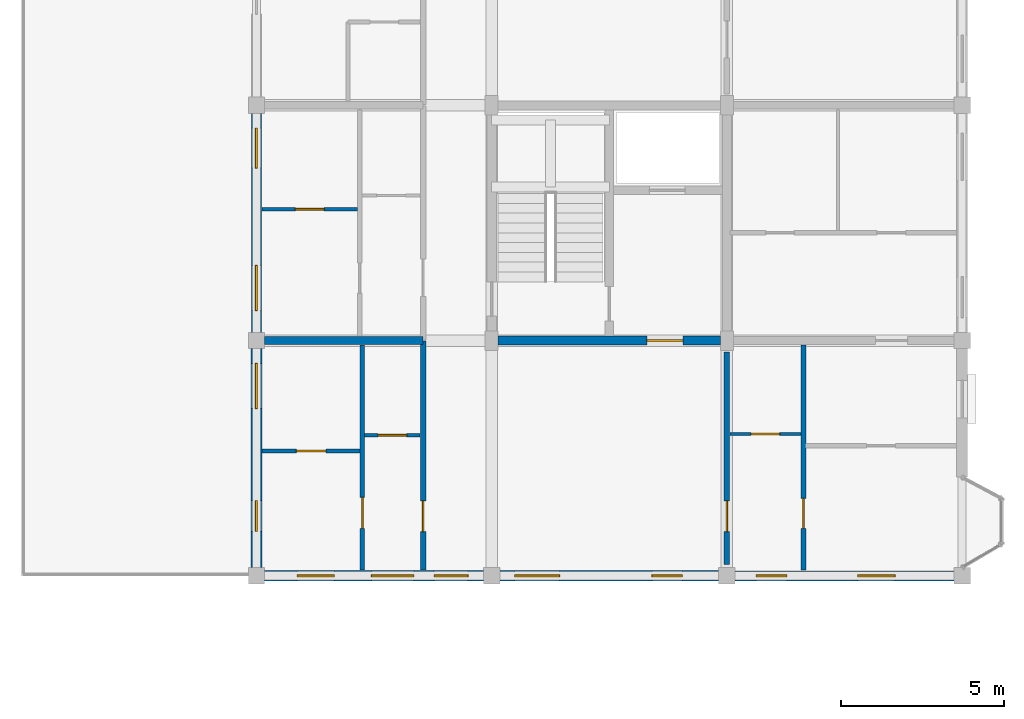
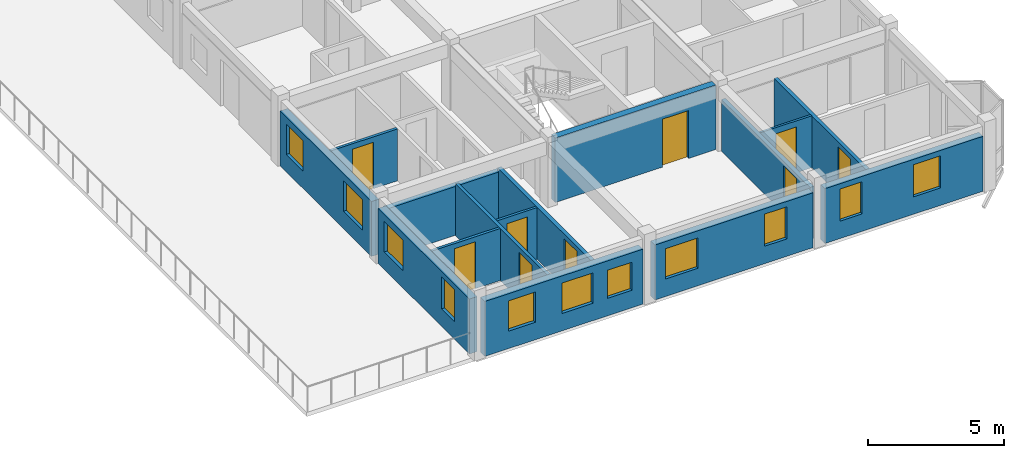
# One storey, part 54 of 70: 15 walls, 11 windows, 9 doors, 20 openings.
"""IFC4 building model written with IfcOpenShell, lengths in metres."""

from ifc_helpers import new_model, si_unit, direction, frame, frame_2d, origin, place, context, subcontext, project, spatial, rectangle, extrude, material, layer, layer_set, type_object, element, fill, save


model = new_model("IFC4")

# Units and contexts
model_context = context("Model", 3, precision=1e-05, world=origin(), true_north=direction((0.0, 1.0)))
body_context = subcontext(model_context, "Body", "Model", "MODEL_VIEW")
ifc_project = project(units=[si_unit("LENGTHUNIT", "METRE"), si_unit("AREAUNIT", "SQUARE_METRE"), si_unit("VOLUMEUNIT", "CUBIC_METRE"), si_unit("PLANEANGLEUNIT", "RADIAN"), si_unit("MASSUNIT", "GRAM", prefix="KILO"), si_unit("THERMODYNAMICTEMPERATUREUNIT", "KELVIN"), si_unit("POWERUNIT", "WATT")], contexts=[model_context])

# Site, building, storey
site_placement = place(None, origin())
site = spatial("IfcSite", under=ifc_project, at=site_placement, CompositionType="ELEMENT")
building_placement = place(site_placement, origin())
building = spatial("IfcBuilding", under=site, at=building_placement, Name="Tavuni Mirador Residences", CompositionType="ELEMENT")
storey_placement = place(building_placement, frame((0.0, 0.0, 23.39990234375)))
storey = spatial("IfcBuildingStorey", under=building, at=storey_placement, Name="L07", CompositionType="ELEMENT", Elevation=23.39990234375)

# Wall, opening, door
ifc_material_1 = material(Name="Precast concrete C40/50", Category="concrete")
ifc_layer_1 = layer(ifc_material_1, 0.280029296875, Name="Precast concrete C40/50", Category="concrete")
ifc_layer_set_1 = layer_set([ifc_layer_1], Name="Precast concrete C40/50")
wall_type_1 = type_object("IfcWallType", Name="WT-COR280", PredefinedType="SHEAR", material=ifc_layer_set_1)
wall_1_placement = place(storey_placement, frame((104.60009765625, 93.60009765625, 0.0), z_axis=(0.0, 0.0, 1.0), x_axis=(1.0, 0.0, 0.0)))
wall_1 = element("IfcWall", 1, at=wall_1_placement, inside=storey, type_object=wall_type_1, Name="CWALL-C7-L07-SS", PredefinedType="SHEAR", context=body_context, shape_type="SweptSolid", body=[
    extrude(rectangle(XDim=6.7998046875, YDim=0.280029296875, at=frame_2d((3.39990234375, 0.0))), origin(), (0.0, 0.0, 1.0), 2.89013671875),
])
opening_1_placement = place(wall_1_placement, frame((4.550048828125, 0.0, 0.0)))
opening_1 = element("IfcOpeningElement", 2, at=opening_1_placement, cuts=wall_1, Name="Opening D-02", PredefinedType="OPENING", context=body_context, shape_type="SweptSolid", body=[
    extrude(rectangle(XDim=1.10009765625, YDim=2.14990234375, at=frame_2d((0.550048828125, 1.074951171875))), frame((0.0, 0.14990234375, 0.0), z_axis=(0.0, -1.0, 0.0), x_axis=(1.0, 0.0, 0.0)), (0.0, 0.0, 1.0), 0.300048828125),
])
ifc_material_2 = material(Name="Solid core iroko timber", Category="wood")
door_type_1 = type_object("IfcDoorType", Name="DT-LOB1100", OperationType="NOTDEFINED", PredefinedType="DOOR", material=ifc_material_2)
door_1_placement = place(opening_1_placement, frame((1.10009765625, 0.0, 0.0), z_axis=(0.0, 0.0, 1.0), x_axis=(-1.0, 0.0, 0.0)))
door_1 = element("IfcDoor", 3, at=door_1_placement, inside=storey, type_object=door_type_1, Name="DR-2294", OperationType="SINGLE_SWING_RIGHT", OverallHeight=2.14990234375, OverallWidth=1.10009765625, PredefinedType="DOOR", context=body_context, shape_type="SweptSolid", body=[
    extrude(rectangle(XDim=1.10009765625, YDim=2.14990234375, at=frame_2d((0.550048828125, 1.074951171875))), frame((0.0, 0.02490234375, 0.0), z_axis=(0.0, -1.0, 0.0), x_axis=(1.0, 0.0, 0.0)), (0.0, 0.0, 1.0), 0.050048828125),
])
fill(opening_1, door_1)

ifc_layer_2 = layer(ifc_material_1, 0.1650390625, Name="Precast concrete C40/50", Category="concrete")
ifc_layer_set_2 = layer_set([ifc_layer_2], Name="Precast concrete C40/50")
wall_type_2 = type_object("IfcWallType", Name="WT-CORR165", PredefinedType="PARTITIONING", material=ifc_layer_set_2)
wall_2_placement = place(storey_placement, frame((102.300048828125, 86.574951171875, 0.0), z_axis=(0.0, 0.0, 1.0), x_axis=(0.0, 1.0, 0.0)))
wall_2 = element("IfcWall", 4, at=wall_2_placement, inside=storey, type_object=wall_type_2, Name="CORW-BLK-D-L07-0-00", PredefinedType="PARTITIONING", context=body_context, shape_type="SweptSolid", body=[
    extrude(rectangle(XDim=7.005126953125, YDim=0.1650390625, at=frame_2d((3.50244140625, 0.0))), origin(), (0.0, 0.0, 1.0), 2.3251953125),
])
opening_2_placement = place(wall_2_placement, frame((1.175048828125, 0.0, 0.0)))
opening_2 = element("IfcOpeningElement", 5, at=opening_2_placement, cuts=wall_2, Name="Opening D-19", PredefinedType="OPENING", context=body_context, shape_type="SweptSolid", body=[
    extrude(rectangle(XDim=0.93994140625, YDim=2.1201171875, at=frame_2d((0.469970703125, 1.06005859375))), frame((0.0, 0.092529296875, 0.0), z_axis=(0.0, -1.0, 0.0), x_axis=(1.0, 0.0, 0.0)), (0.0, 0.0, 1.0), 0.18505859375),
])
door_type_2 = type_object("IfcDoorType", Name="DT-FD60-940", OperationType="NOTDEFINED", PredefinedType="DOOR", material=ifc_material_2)
door_2_placement = place(opening_2_placement, origin())
door_2 = element("IfcDoor", 6, at=door_2_placement, inside=storey, type_object=door_type_2, Name="DR-2893", OperationType="SINGLE_SWING_RIGHT", OverallHeight=2.1201171875, OverallWidth=0.93994140625, PredefinedType="DOOR", context=body_context, shape_type="SweptSolid", body=[
    extrude(rectangle(XDim=0.93994140625, YDim=2.1201171875, at=frame_2d((0.469970703125, 1.06005859375))), frame((0.0, 0.02490234375, 0.0), z_axis=(0.0, -1.0, 0.0), x_axis=(1.0, 0.0, 0.0)), (0.0, 0.0, 1.0), 0.050048828125),
])
fill(opening_2, door_2)

wall_3_placement = place(storey_placement, frame((111.60009765625, 86.75, 0.0), z_axis=(0.0, 0.0, 1.0), x_axis=(0.0, 1.0, 0.0)))
wall_3 = element("IfcWall", 7, at=wall_3_placement, inside=storey, type_object=wall_type_2, Name="CORW-BLK-D-L07-1-00", PredefinedType="PARTITIONING", context=body_context, shape_type="SweptSolid", body=[
    extrude(rectangle(XDim=6.5, YDim=0.1650390625, at=frame_2d((3.25, 0.0))), origin(), (0.0, 0.0, 1.0), 2.3251953125),
])
opening_3_placement = place(wall_3_placement, frame((1.0, 0.0, 0.0)))
opening_3 = element("IfcOpeningElement", 8, at=opening_3_placement, cuts=wall_3, Name="Opening D-19", PredefinedType="OPENING", context=body_context, shape_type="SweptSolid", body=[
    extrude(rectangle(XDim=0.93994140625, YDim=2.1201171875, at=frame_2d((0.469970703125, 1.06005859375))), frame((0.0, 0.092529296875, 0.0), z_axis=(0.0, -1.0, 0.0), x_axis=(1.0, 0.0, 0.0)), (0.0, 0.0, 1.0), 0.18505859375),
])
door_3_placement = place(opening_3_placement, origin())
door_3 = element("IfcDoor", 9, at=door_3_placement, inside=storey, type_object=door_type_2, Name="DR-2899", OperationType="SINGLE_SWING_RIGHT", OverallHeight=2.1201171875, OverallWidth=0.93994140625, PredefinedType="DOOR", context=body_context, shape_type="SweptSolid", body=[
    extrude(rectangle(XDim=0.93994140625, YDim=2.1201171875, at=frame_2d((0.469970703125, 1.06005859375))), frame((0.0, 0.02490234375, 0.0), z_axis=(0.0, -1.0, 0.0), x_axis=(1.0, 0.0, 0.0)), (0.0, 0.0, 1.0), 0.050048828125),
])
fill(opening_3, door_3)

# Wall, openings, windows
ifc_layer_3 = layer(ifc_material_1, 0.330078125, Name="Precast concrete C40/50", Category="concrete")
ifc_layer_set_3 = layer_set([ifc_layer_3], Name="Precast concrete C40/50")
wall_type_3 = type_object("IfcWallType", Name="WT-EXT-COR330", PredefinedType="SOLIDWALL", material=ifc_layer_set_3)
wall_4_placement = place(storey_placement, frame((97.449951171875, 86.39990234375, 0.0), z_axis=(0.0, 0.0, 1.0), x_axis=(1.0, 0.0, 0.0)))
wall_4 = element("IfcWall", 10, at=wall_4_placement, inside=storey, type_object=wall_type_3, Name="EW-BLK-D-L07-S00", PredefinedType="SOLIDWALL", context=body_context, shape_type="SweptSolid", body=[
    extrude(rectangle(XDim=6.699951171875, YDim=0.330078125, at=frame_2d((3.35009765625, 0.0))), origin(), (0.0, 0.0, 1.0), 2.460205078125),
])
opening_4_placement = place(wall_4_placement, frame((0.9951171875, 0.0, 0.780029296875)))
opening_4 = element("IfcOpeningElement", 11, at=opening_4_placement, cuts=wall_4, Name="Opening WN-20", PredefinedType="OPENING", context=body_context, shape_type="SweptSolid", body=[
    extrude(rectangle(XDim=1.139892578125, YDim=1.360107421875, at=frame_2d((0.56982421875, 0.68017578125))), frame((0.0, 0.175048828125, 0.0), z_axis=(0.0, -1.0, 0.0), x_axis=(1.0, 0.0, 0.0)), (0.0, 0.0, 1.0), 0.35009765625),
])
opening_5_placement = place(wall_4_placement, frame((3.27001953125, 0.0, 0.780029296875)))
opening_5 = element("IfcOpeningElement", 12, at=opening_5_placement, cuts=wall_4, Name="Opening WN-22", PredefinedType="OPENING", context=body_context, shape_type="SweptSolid", body=[
    extrude(rectangle(XDim=1.300048828125, YDim=1.360107421875, at=frame_2d((0.64990234375, 0.68017578125))), frame((0.0, 0.175048828125, 0.0), z_axis=(0.0, -1.0, 0.0), x_axis=(1.0, 0.0, 0.0)), (0.0, 0.0, 1.0), 0.35009765625),
])
opening_6_placement = place(wall_4_placement, frame((5.18505859375, 0.0, 0.780029296875)))
opening_6 = element("IfcOpeningElement", 13, at=opening_6_placement, cuts=wall_4, Name="Opening WN-11", PredefinedType="OPENING", context=body_context, shape_type="SweptSolid", body=[
    extrude(rectangle(XDim=1.0400390625, YDim=1.260009765625, at=frame_2d((0.52001953125, 0.6298828125))), frame((0.0, 0.175048828125, 0.0), z_axis=(0.0, -1.0, 0.0), x_axis=(1.0, 0.0, 0.0)), (0.0, 0.0, 1.0), 0.35009765625),
])
ifc_material_3 = material(Name="Laminated solar-control glass", Category="glass")
window_type_1 = type_object("IfcWindowType", Name="WNT-11", PartitioningType="SINGLE_PANEL", PredefinedType="WINDOW", material=ifc_material_3)
window_1_placement = place(opening_6_placement, origin())
window_1 = element("IfcWindow", 14, at=window_1_placement, inside=storey, type_object=window_type_1, Name="WIN-1694", OverallHeight=1.260009765625, OverallWidth=1.0400390625, PartitioningType="SINGLE_PANEL", PredefinedType="WINDOW", context=body_context, shape_type="SweptSolid", body=[
    extrude(rectangle(XDim=1.0400390625, YDim=1.260009765625, at=frame_2d((0.52001953125, 0.6298828125))), frame((0.0, 0.030029296875, 0.0), z_axis=(0.0, -1.0, 0.0), x_axis=(1.0, 0.0, 0.0)), (0.0, 0.0, 1.0), 0.06005859375),
])
fill(opening_6, window_1)
window_type_2 = type_object("IfcWindowType", Name="WNT-20", PartitioningType="SINGLE_PANEL", PredefinedType="WINDOW", material=ifc_material_3)
window_2_placement = place(opening_4_placement, origin())
window_2 = element("IfcWindow", 15, at=window_2_placement, inside=storey, type_object=window_type_2, Name="WIN-1692", OverallHeight=1.360107421875, OverallWidth=1.139892578125, PartitioningType="SINGLE_PANEL", PredefinedType="WINDOW", context=body_context, shape_type="SweptSolid", body=[
    extrude(rectangle(XDim=1.139892578125, YDim=1.360107421875, at=frame_2d((0.56982421875, 0.68017578125))), frame((0.0, 0.030029296875, 0.0), z_axis=(0.0, -1.0, 0.0), x_axis=(1.0, 0.0, 0.0)), (0.0, 0.0, 1.0), 0.06005859375),
])
fill(opening_4, window_2)
window_type_3 = type_object("IfcWindowType", Name="WNT-22", PartitioningType="SINGLE_PANEL", PredefinedType="WINDOW", material=ifc_material_3)
window_3_placement = place(opening_5_placement, origin())
window_3 = element("IfcWindow", 16, at=window_3_placement, inside=storey, type_object=window_type_3, Name="WIN-1693", OverallHeight=1.360107421875, OverallWidth=1.300048828125, PartitioningType="SINGLE_PANEL", PredefinedType="WINDOW", context=body_context, shape_type="SweptSolid", body=[
    extrude(rectangle(XDim=1.300048828125, YDim=1.360107421875, at=frame_2d((0.64990234375, 0.68017578125))), frame((0.0, 0.030029296875, 0.0), z_axis=(0.0, -1.0, 0.0), x_axis=(1.0, 0.0, 0.0)), (0.0, 0.0, 1.0), 0.06005859375),
])
fill(opening_5, window_3)

wall_5_placement = place(storey_placement, frame((97.199951171875, 93.35009765625, 0.0), z_axis=(0.0, 0.0, 1.0), x_axis=(0.0, -1.0, 0.0)))
wall_5 = element("IfcWall", 17, at=wall_5_placement, inside=storey, type_object=wall_type_3, Name="EW-BLK-D-L07-W00", PredefinedType="SOLIDWALL", context=body_context, shape_type="SweptSolid", body=[
    extrude(rectangle(XDim=6.7001953125, YDim=0.330078125, at=frame_2d((3.35009765625, 0.0))), origin(), (0.0, 0.0, 1.0), 2.460205078125),
])
opening_7_placement = place(wall_5_placement, frame((0.449951171875, 0.0, 0.780029296875)))
opening_7 = element("IfcOpeningElement", 18, at=opening_7_placement, cuts=wall_5, Name="Opening WN-23", PredefinedType="OPENING", context=body_context, shape_type="SweptSolid", body=[
    extrude(rectangle(XDim=1.3798828125, YDim=1.360107421875, at=frame_2d((0.68994140625, 0.68017578125))), frame((0.0, 0.175048828125, 0.0), z_axis=(0.0, -1.0, 0.0), x_axis=(1.0, 0.0, 0.0)), (0.0, 0.0, 1.0), 0.35009765625),
])
opening_8_placement = place(wall_5_placement, frame((4.64990234375, 0.0, 0.780029296875)))
opening_8 = element("IfcOpeningElement", 19, at=opening_8_placement, cuts=wall_5, Name="Opening WN-25", PredefinedType="OPENING", context=body_context, shape_type="SweptSolid", body=[
    extrude(rectangle(XDim=0.93994140625, YDim=1.43994140625, at=frame_2d((0.469970703125, 0.719970703125))), frame((0.0, 0.175048828125, 0.0), z_axis=(0.0, -1.0, 0.0), x_axis=(1.0, 0.0, 0.0)), (0.0, 0.0, 1.0), 0.35009765625),
])
window_type_4 = type_object("IfcWindowType", Name="WNT-23", PartitioningType="SINGLE_PANEL", PredefinedType="WINDOW", material=ifc_material_3)
window_4_placement = place(opening_7_placement, origin())
window_4 = element("IfcWindow", 20, at=window_4_placement, inside=storey, type_object=window_type_4, Name="WIN-1725", OverallHeight=1.360107421875, OverallWidth=1.3798828125, PartitioningType="SINGLE_PANEL", PredefinedType="WINDOW", context=body_context, shape_type="SweptSolid", body=[
    extrude(rectangle(XDim=1.3798828125, YDim=1.360107421875, at=frame_2d((0.68994140625, 0.68017578125))), frame((0.0, 0.030029296875, 0.0), z_axis=(0.0, -1.0, 0.0), x_axis=(1.0, 0.0, 0.0)), (0.0, 0.0, 1.0), 0.06005859375),
])
fill(opening_7, window_4)
window_type_5 = type_object("IfcWindowType", Name="WNT-25", PartitioningType="SINGLE_PANEL", PredefinedType="WINDOW", material=ifc_material_3)
window_5_placement = place(opening_8_placement, origin())
window_5 = element("IfcWindow", 21, at=window_5_placement, inside=storey, type_object=window_type_5, Name="WIN-1726", OverallHeight=1.43994140625, OverallWidth=0.93994140625, PartitioningType="SINGLE_PANEL", PredefinedType="WINDOW", context=body_context, shape_type="SweptSolid", body=[
    extrude(rectangle(XDim=0.93994140625, YDim=1.43994140625, at=frame_2d((0.469970703125, 0.719970703125))), frame((0.0, 0.030029296875, 0.0), z_axis=(0.0, -1.0, 0.0), x_axis=(1.0, 0.0, 0.0)), (0.0, 0.0, 1.0), 0.06005859375),
])
fill(opening_8, window_5)

ifc_material_4 = material(Name="Sgraffito lime-rendered precast concrete C40/50", Category="concrete")
ifc_layer_4 = layer(ifc_material_4, 0.304931640625, Name="Sgraffito lime-rendered precast concrete C40/50", Category="concrete")
ifc_layer_set_4 = layer_set([ifc_layer_4], Name="Sgraffito lime-rendered precast concrete C40/50")
wall_type_4 = type_object("IfcWallType", Name="WT-EXT-PC305", PredefinedType="SOLIDWALL", material=ifc_layer_set_4)
wall_6_placement = place(storey_placement, frame((111.85009765625, 86.39990234375, 0.0), z_axis=(0.0, 0.0, 1.0), x_axis=(1.0, 0.0, 0.0)))
wall_6 = element("IfcWall", 22, at=wall_6_placement, inside=storey, type_object=wall_type_4, Name="EW-BLK-D-L07-S02", PredefinedType="SOLIDWALL", context=body_context, shape_type="SweptSolid", body=[
    extrude(rectangle(XDim=6.699951171875, YDim=0.304931640625, at=frame_2d((3.35009765625, 0.0))), origin(), (0.0, 0.0, 1.0), 2.460205078125),
])
opening_9_placement = place(wall_6_placement, frame((0.64501953125, 0.0, 0.780029296875)))
opening_9 = element("IfcOpeningElement", 23, at=opening_9_placement, cuts=wall_6, Name="Opening WN-25", PredefinedType="OPENING", context=body_context, shape_type="SweptSolid", body=[
    extrude(rectangle(XDim=0.93994140625, YDim=1.43994140625, at=frame_2d((0.469970703125, 0.719970703125))), frame((0.0, 0.16259765625, 0.0), z_axis=(0.0, -1.0, 0.0), x_axis=(1.0, 0.0, 0.0)), (0.0, 0.0, 1.0), 0.324951171875),
])
opening_10_placement = place(wall_6_placement, frame((3.75, 0.0, 0.780029296875)))
opening_10 = element("IfcOpeningElement", 24, at=opening_10_placement, cuts=wall_6, Name="Opening WN-27", PredefinedType="OPENING", context=body_context, shape_type="SweptSolid", body=[
    extrude(rectangle(XDim=1.14990234375, YDim=1.43994140625, at=frame_2d((0.574951171875, 0.719970703125))), frame((0.0, 0.16259765625, 0.0), z_axis=(0.0, -1.0, 0.0), x_axis=(1.0, 0.0, 0.0)), (0.0, 0.0, 1.0), 0.324951171875),
])
window_6_placement = place(opening_9_placement, origin())
window_6 = element("IfcWindow", 25, at=window_6_placement, inside=storey, type_object=window_type_5, Name="WIN-1697", OverallHeight=1.43994140625, OverallWidth=0.93994140625, PartitioningType="SINGLE_PANEL", PredefinedType="WINDOW", context=body_context, shape_type="SweptSolid", body=[
    extrude(rectangle(XDim=0.93994140625, YDim=1.43994140625, at=frame_2d((0.469970703125, 0.719970703125))), frame((0.0, 0.030029296875, 0.0), z_axis=(0.0, -1.0, 0.0), x_axis=(1.0, 0.0, 0.0)), (0.0, 0.0, 1.0), 0.06005859375),
])
fill(opening_9, window_6)
window_type_6 = type_object("IfcWindowType", Name="WNT-27", PartitioningType="SINGLE_PANEL", PredefinedType="WINDOW", material=ifc_material_3)
window_7_placement = place(opening_10_placement, origin())
window_7 = element("IfcWindow", 26, at=window_7_placement, inside=storey, type_object=window_type_6, Name="WIN-1698", OverallHeight=1.43994140625, OverallWidth=1.14990234375, PartitioningType="SINGLE_PANEL", PredefinedType="WINDOW", context=body_context, shape_type="SweptSolid", body=[
    extrude(rectangle(XDim=1.14990234375, YDim=1.43994140625, at=frame_2d((0.574951171875, 0.719970703125))), frame((0.0, 0.030029296875, 0.0), z_axis=(0.0, -1.0, 0.0), x_axis=(1.0, 0.0, 0.0)), (0.0, 0.0, 1.0), 0.06005859375),
])
fill(opening_10, window_7)

ifc_layer_5 = layer(ifc_material_4, 0.31494140625, Name="Sgraffito lime-rendered precast concrete C40/50", Category="concrete")
ifc_layer_set_5 = layer_set([ifc_layer_5], Name="Sgraffito lime-rendered precast concrete C40/50")
wall_type_5 = type_object("IfcWallType", Name="WT-EXT-PC315", PredefinedType="SOLIDWALL", material=ifc_layer_set_5)
wall_7_placement = place(storey_placement, frame((104.64990234375, 86.39990234375, 0.0), z_axis=(0.0, 0.0, 1.0), x_axis=(1.0, 0.0, 0.0)))
wall_7 = element("IfcWall", 27, at=wall_7_placement, inside=storey, type_object=wall_type_5, Name="EW-BLK-D-L07-S01", PredefinedType="SOLIDWALL", context=body_context, shape_type="SweptSolid", body=[
    extrude(rectangle(XDim=6.7001953125, YDim=0.31494140625, at=frame_2d((3.35009765625, 0.0))), origin(), (0.0, 0.0, 1.0), 2.460205078125),
])
opening_11_placement = place(wall_7_placement, frame((0.449951171875, 0.0, 0.780029296875)))
opening_11 = element("IfcOpeningElement", 28, at=opening_11_placement, cuts=wall_7, Name="Opening WN-23", PredefinedType="OPENING", context=body_context, shape_type="SweptSolid", body=[
    extrude(rectangle(XDim=1.3798828125, YDim=1.360107421875, at=frame_2d((0.68994140625, 0.68017578125))), frame((0.0, 0.16748046875, 0.0), z_axis=(0.0, -1.0, 0.0), x_axis=(1.0, 0.0, 0.0)), (0.0, 0.0, 1.0), 0.3349609375),
])
opening_12_placement = place(wall_7_placement, frame((4.64990234375, 0.0, 0.780029296875)))
opening_12 = element("IfcOpeningElement", 29, at=opening_12_placement, cuts=wall_7, Name="Opening WN-25", PredefinedType="OPENING", context=body_context, shape_type="SweptSolid", body=[
    extrude(rectangle(XDim=0.93994140625, YDim=1.43994140625, at=frame_2d((0.469970703125, 0.719970703125))), frame((0.0, 0.16748046875, 0.0), z_axis=(0.0, -1.0, 0.0), x_axis=(1.0, 0.0, 0.0)), (0.0, 0.0, 1.0), 0.3349609375),
])
window_8_placement = place(opening_11_placement, origin())
window_8 = element("IfcWindow", 30, at=window_8_placement, inside=storey, type_object=window_type_4, Name="WIN-1695", OverallHeight=1.360107421875, OverallWidth=1.3798828125, PartitioningType="SINGLE_PANEL", PredefinedType="WINDOW", context=body_context, shape_type="SweptSolid", body=[
    extrude(rectangle(XDim=1.3798828125, YDim=1.360107421875, at=frame_2d((0.68994140625, 0.68017578125))), frame((0.0, 0.030029296875, 0.0), z_axis=(0.0, -1.0, 0.0), x_axis=(1.0, 0.0, 0.0)), (0.0, 0.0, 1.0), 0.06005859375),
])
fill(opening_11, window_8)
window_9_placement = place(opening_12_placement, origin())
window_9 = element("IfcWindow", 31, at=window_9_placement, inside=storey, type_object=window_type_5, Name="WIN-1696", OverallHeight=1.43994140625, OverallWidth=0.93994140625, PartitioningType="SINGLE_PANEL", PredefinedType="WINDOW", context=body_context, shape_type="SweptSolid", body=[
    extrude(rectangle(XDim=0.93994140625, YDim=1.43994140625, at=frame_2d((0.469970703125, 0.719970703125))), frame((0.0, 0.030029296875, 0.0), z_axis=(0.0, -1.0, 0.0), x_axis=(1.0, 0.0, 0.0)), (0.0, 0.0, 1.0), 0.06005859375),
])
fill(opening_12, window_9)

wall_8_placement = place(storey_placement, frame((97.199951171875, 100.550048828125, 0.0), z_axis=(0.0, 0.0, 1.0), x_axis=(0.0, -1.0, 0.0)))
wall_8 = element("IfcWall", 32, at=wall_8_placement, inside=storey, type_object=wall_type_5, Name="EW-BLK-D-L07-W01", PredefinedType="SOLIDWALL", context=body_context, shape_type="SweptSolid", body=[
    extrude(rectangle(XDim=6.699951171875, YDim=0.31494140625, at=frame_2d((3.35009765625, 0.0))), origin(), (0.0, 0.0, 1.0), 2.460205078125),
])
opening_13_placement = place(wall_8_placement, frame((0.449951171875, 0.0, 0.780029296875)))
opening_13 = element("IfcOpeningElement", 33, at=opening_13_placement, cuts=wall_8, Name="Opening WN-21", PredefinedType="OPENING", context=body_context, shape_type="SweptSolid", body=[
    extrude(rectangle(XDim=1.219970703125, YDim=1.360107421875, at=frame_2d((0.60986328125, 0.68017578125))), frame((0.0, 0.16748046875, 0.0), z_axis=(0.0, -1.0, 0.0), x_axis=(1.0, 0.0, 0.0)), (0.0, 0.0, 1.0), 0.3349609375),
])
opening_14_placement = place(wall_8_placement, frame((4.64990234375, 0.0, 0.780029296875)))
opening_14 = element("IfcOpeningElement", 34, at=opening_14_placement, cuts=wall_8, Name="Opening WN-23", PredefinedType="OPENING", context=body_context, shape_type="SweptSolid", body=[
    extrude(rectangle(XDim=1.3798828125, YDim=1.360107421875, at=frame_2d((0.68994140625, 0.68017578125))), frame((0.0, 0.16748046875, 0.0), z_axis=(0.0, -1.0, 0.0), x_axis=(1.0, 0.0, 0.0)), (0.0, 0.0, 1.0), 0.3349609375),
])
window_type_7 = type_object("IfcWindowType", Name="WNT-21", PartitioningType="SINGLE_PANEL", PredefinedType="WINDOW", material=ifc_material_3)
window_10_placement = place(opening_13_placement, origin())
window_10 = element("IfcWindow", 35, at=window_10_placement, inside=storey, type_object=window_type_7, Name="WIN-1723", OverallHeight=1.360107421875, OverallWidth=1.219970703125, PartitioningType="SINGLE_PANEL", PredefinedType="WINDOW", context=body_context, shape_type="SweptSolid", body=[
    extrude(rectangle(XDim=1.219970703125, YDim=1.360107421875, at=frame_2d((0.60986328125, 0.68017578125))), frame((0.0, 0.030029296875, 0.0), z_axis=(0.0, -1.0, 0.0), x_axis=(1.0, 0.0, 0.0)), (0.0, 0.0, 1.0), 0.06005859375),
])
fill(opening_13, window_10)
window_11_placement = place(opening_14_placement, origin())
window_11 = element("IfcWindow", 36, at=window_11_placement, inside=storey, type_object=window_type_4, Name="WIN-1724", OverallHeight=1.360107421875, OverallWidth=1.3798828125, PartitioningType="SINGLE_PANEL", PredefinedType="WINDOW", context=body_context, shape_type="SweptSolid", body=[
    extrude(rectangle(XDim=1.3798828125, YDim=1.360107421875, at=frame_2d((0.68994140625, 0.68017578125))), frame((0.0, 0.030029296875, 0.0), z_axis=(0.0, -1.0, 0.0), x_axis=(1.0, 0.0, 0.0)), (0.0, 0.0, 1.0), 0.06005859375),
])
fill(opening_14, window_11)

# Wall, opening, door
ifc_material_5 = material(Name="Acoustic gypsum and concrete block partition", Category="concrete")
ifc_layer_6 = layer(ifc_material_5, 0.094970703125, Name="Acoustic gypsum and concrete block partition", Category="concrete")
ifc_layer_set_6 = layer_set([ifc_layer_6], Name="Acoustic gypsum and concrete block partition")
wall_type_6 = type_object("IfcWallType", Name="WT-PART095", PredefinedType="PARTITIONING", material=ifc_layer_set_6)
wall_9_placement = place(storey_placement, frame((111.68994140625, 90.739990234375, 0.0), z_axis=(0.0, 0.0, 1.0), x_axis=(1.0, 0.0, 0.0)))
wall_9 = element("IfcWall", 37, at=wall_9_placement, inside=storey, type_object=wall_type_6, Name="PW-BLK-D-L07-E00-IN1", PredefinedType="PARTITIONING", context=body_context, shape_type="SweptSolid", body=[
    extrude(rectangle(XDim=2.18017578125, YDim=0.094970703125, at=frame_2d((1.090087890625, 0.0))), origin(), (0.0, 0.0, 1.0), 2.3251953125),
])
opening_15_placement = place(wall_9_placement, frame((0.655029296875, 0.0, 0.0)))
opening_15 = element("IfcOpeningElement", 38, at=opening_15_placement, cuts=wall_9, Name="Opening D-10", PredefinedType="OPENING", context=body_context, shape_type="SweptSolid", body=[
    extrude(rectangle(XDim=0.8701171875, YDim=2.050048828125, at=frame_2d((0.43505859375, 1.02490234375))), frame((0.0, 0.0576171875, 0.0), z_axis=(0.0, -1.0, 0.0), x_axis=(1.0, 0.0, 0.0)), (0.0, 0.0, 1.0), 0.114990234375),
])
door_type_3 = type_object("IfcDoorType", Name="DT-WC870", OperationType="NOTDEFINED", PredefinedType="DOOR", material=ifc_material_2)
door_4_placement = place(opening_15_placement, origin())
door_4 = element("IfcDoor", 39, at=door_4_placement, inside=storey, type_object=door_type_3, Name="DR-4554", OperationType="SINGLE_SWING_LEFT", OverallHeight=2.050048828125, OverallWidth=0.8701171875, PredefinedType="DOOR", context=body_context, shape_type="SweptSolid", body=[
    extrude(rectangle(XDim=0.8701171875, YDim=2.050048828125, at=frame_2d((0.43505859375, 1.02490234375))), frame((0.0, 0.02490234375, 0.0), z_axis=(0.0, -1.0, 0.0), x_axis=(1.0, 0.0, 0.0)), (0.0, 0.0, 1.0), 0.050048828125),
])
fill(opening_15, door_4)

ifc_layer_7 = layer(ifc_material_5, 0.10498046875, Name="Acoustic gypsum and concrete block partition", Category="concrete")
ifc_layer_set_7 = layer_set([ifc_layer_7], Name="Acoustic gypsum and concrete block partition")
wall_type_7 = type_object("IfcWallType", Name="WT-PART105", PredefinedType="PARTITIONING", material=ifc_layer_set_7)
wall_10_placement = place(storey_placement, frame((100.510009765625, 90.699951171875, 0.0), z_axis=(0.0, 0.0, 1.0), x_axis=(1.0, 0.0, 0.0)))
wall_10 = element("IfcWall", 40, at=wall_10_placement, inside=storey, type_object=wall_type_7, Name="PW-BLK-D-L07-W00-IN1", PredefinedType="PARTITIONING", context=body_context, shape_type="SweptSolid", body=[
    extrude(rectangle(XDim=1.699951171875, YDim=0.10498046875, at=frame_2d((0.85009765625, 0.0))), origin(), (0.0, 0.0, 1.0), 2.3251953125),
])
opening_16_placement = place(wall_10_placement, frame((0.4150390625, 0.0, 0.0)))
opening_16 = element("IfcOpeningElement", 41, at=opening_16_placement, cuts=wall_10, Name="Opening D-10", PredefinedType="OPENING", context=body_context, shape_type="SweptSolid", body=[
    extrude(rectangle(XDim=0.8701171875, YDim=2.050048828125, at=frame_2d((0.43505859375, 1.02490234375))), frame((0.0, 0.0625, 0.0), z_axis=(0.0, -1.0, 0.0), x_axis=(1.0, 0.0, 0.0)), (0.0, 0.0, 1.0), 0.125),
])
door_5_placement = place(opening_16_placement, origin())
door_5 = element("IfcDoor", 42, at=door_5_placement, inside=storey, type_object=door_type_3, Name="DR-4551", OperationType="SINGLE_SWING_RIGHT", OverallHeight=2.050048828125, OverallWidth=0.8701171875, PredefinedType="DOOR", context=body_context, shape_type="SweptSolid", body=[
    extrude(rectangle(XDim=0.8701171875, YDim=2.050048828125, at=frame_2d((0.43505859375, 1.02490234375))), frame((0.0, 0.02490234375, 0.0), z_axis=(0.0, -1.0, 0.0), x_axis=(1.0, 0.0, 0.0)), (0.0, 0.0, 1.0), 0.050048828125),
])
fill(opening_16, door_5)

ifc_layer_8 = layer(ifc_material_5, 0.114990234375, Name="Acoustic gypsum and concrete block partition", Category="concrete")
ifc_layer_set_8 = layer_set([ifc_layer_8], Name="Acoustic gypsum and concrete block partition")
wall_type_8 = type_object("IfcWallType", Name="WT-PART115", PredefinedType="PARTITIONING", material=ifc_layer_set_8)
wall_11_placement = place(storey_placement, frame((97.375, 90.219970703125, 0.0), z_axis=(0.0, 0.0, 1.0), x_axis=(1.0, 0.0, 0.0)))
wall_11 = element("IfcWall", 43, at=wall_11_placement, inside=storey, type_object=wall_type_8, Name="PW-BLK-D-L07-W00-OUT", PredefinedType="PARTITIONING", context=body_context, shape_type="SweptSolid", body=[
    extrude(rectangle(XDim=2.9951171875, YDim=0.114990234375, at=frame_2d((1.49755859375, 0.0))), origin(), (0.0, 0.0, 1.0), 2.3251953125),
])
opening_17_placement = place(wall_11_placement, frame((1.047607421875, 0.0, 0.0)))
opening_17 = element("IfcOpeningElement", 44, at=opening_17_placement, cuts=wall_11, Name="Opening D-07", PredefinedType="OPENING", context=body_context, shape_type="SweptSolid", body=[
    extrude(rectangle(XDim=0.89990234375, YDim=2.10009765625, at=frame_2d((0.449951171875, 1.050048828125))), frame((0.0, 0.0673828125, 0.0), z_axis=(0.0, -1.0, 0.0), x_axis=(1.0, 0.0, 0.0)), (0.0, 0.0, 1.0), 0.135009765625),
])
door_type_4 = type_object("IfcDoorType", Name="DT-BED900", OperationType="NOTDEFINED", PredefinedType="DOOR", material=ifc_material_2)
door_6_placement = place(opening_17_placement, origin())
door_6 = element("IfcDoor", 45, at=door_6_placement, inside=storey, type_object=door_type_4, Name="DR-4550", OperationType="SINGLE_SWING_LEFT", OverallHeight=2.10009765625, OverallWidth=0.89990234375, PredefinedType="DOOR", context=body_context, shape_type="SweptSolid", body=[
    extrude(rectangle(XDim=0.89990234375, YDim=2.10009765625, at=frame_2d((0.449951171875, 1.050048828125))), frame((0.0, 0.02490234375, 0.0), z_axis=(0.0, -1.0, 0.0), x_axis=(1.0, 0.0, 0.0)), (0.0, 0.0, 1.0), 0.050048828125),
])
fill(opening_17, door_6)

wall_12_placement = place(storey_placement, frame((97.375, 97.6201171875, 0.0), z_axis=(0.0, 0.0, 1.0), x_axis=(1.0, 0.0, 0.0)))
wall_12 = element("IfcWall", 46, at=wall_12_placement, inside=storey, type_object=wall_type_8, Name="PW-BLK-D-L07-W01-OUT", PredefinedType="PARTITIONING", context=body_context, shape_type="SweptSolid", body=[
    extrude(rectangle(XDim=2.9150390625, YDim=0.114990234375, at=frame_2d((1.45751953125, 0.0))), origin(), (0.0, 0.0, 1.0), 2.3251953125),
])
opening_18_placement = place(wall_12_placement, frame((1.017578125, 0.0, 0.0)))
opening_18 = element("IfcOpeningElement", 47, at=opening_18_placement, cuts=wall_12, Name="Opening D-08", PredefinedType="OPENING", context=body_context, shape_type="SweptSolid", body=[
    extrude(rectangle(XDim=0.8798828125, YDim=2.080078125, at=frame_2d((0.43994140625, 1.0400390625))), frame((0.0, 0.0673828125, 0.0), z_axis=(0.0, -1.0, 0.0), x_axis=(1.0, 0.0, 0.0)), (0.0, 0.0, 1.0), 0.135009765625),
])
door_type_5 = type_object("IfcDoorType", Name="DT-BED880", OperationType="NOTDEFINED", PredefinedType="DOOR", material=ifc_material_2)
door_7_placement = place(opening_18_placement, origin())
door_7 = element("IfcDoor", 48, at=door_7_placement, inside=storey, type_object=door_type_5, Name="DR-4556", OperationType="SINGLE_SWING_RIGHT", OverallHeight=2.080078125, OverallWidth=0.8798828125, PredefinedType="DOOR", context=body_context, shape_type="SweptSolid", body=[
    extrude(rectangle(XDim=0.8798828125, YDim=2.080078125, at=frame_2d((0.43994140625, 1.0400390625))), frame((0.0, 0.02490234375, 0.0), z_axis=(0.0, -1.0, 0.0), x_axis=(1.0, 0.0, 0.0)), (0.0, 0.0, 1.0), 0.050048828125),
])
fill(opening_18, door_7)

ifc_layer_9 = layer(ifc_material_5, 0.139892578125, Name="Acoustic gypsum and concrete block partition", Category="concrete")
ifc_layer_set_9 = layer_set([ifc_layer_9], Name="Acoustic gypsum and concrete block partition")
wall_type_9 = type_object("IfcWallType", Name="WT-PART140", PredefinedType="PARTITIONING", material=ifc_layer_set_9)
wall_13_placement = place(storey_placement, frame((100.43994140625, 86.574951171875, 0.0), z_axis=(0.0, 0.0, 1.0), x_axis=(0.0, 1.0, 0.0)))
wall_13 = element("IfcWall", 49, at=wall_13_placement, inside=storey, type_object=wall_type_9, Name="PW-BLK-D-L07-W00-MID", PredefinedType="PARTITIONING", context=body_context, shape_type="SweptSolid", body=[
    extrude(rectangle(XDim=6.885009765625, YDim=0.139892578125, at=frame_2d((3.4423828125, 0.0))), origin(), (0.0, 0.0, 1.0), 2.3251953125),
])
opening_19_placement = place(wall_13_placement, frame((1.27490234375, 0.0, 0.0)))
opening_19 = element("IfcOpeningElement", 50, at=opening_19_placement, cuts=wall_13, Name="Opening D-05", PredefinedType="OPENING", context=body_context, shape_type="SweptSolid", body=[
    extrude(rectangle(XDim=0.949951171875, YDim=2.10009765625, at=frame_2d((0.47509765625, 1.050048828125))), frame((0.0, 0.080078125, 0.0), z_axis=(0.0, -1.0, 0.0), x_axis=(1.0, 0.0, 0.0)), (0.0, 0.0, 1.0), 0.159912109375),
])
door_type_6 = type_object("IfcDoorType", Name="DT-INT950", OperationType="NOTDEFINED", PredefinedType="DOOR", material=ifc_material_2)
door_8_placement = place(opening_19_placement, origin())
door_8 = element("IfcDoor", 51, at=door_8_placement, inside=storey, type_object=door_type_6, Name="DR-4552", OperationType="SINGLE_SWING_LEFT", OverallHeight=2.10009765625, OverallWidth=0.949951171875, PredefinedType="DOOR", context=body_context, shape_type="SweptSolid", body=[
    extrude(rectangle(XDim=0.949951171875, YDim=2.10009765625, at=frame_2d((0.47509765625, 1.050048828125))), frame((0.0, 0.02490234375, 0.0), z_axis=(0.0, -1.0, 0.0), x_axis=(1.0, 0.0, 0.0)), (0.0, 0.0, 1.0), 0.050048828125),
])
fill(opening_19, door_8)

ifc_layer_10 = layer(ifc_material_5, 0.14990234375, Name="Acoustic gypsum and concrete block partition", Category="concrete")
ifc_layer_set_10 = layer_set([ifc_layer_10], Name="Acoustic gypsum and concrete block partition")
wall_type_10 = type_object("IfcWallType", Name="WT-PART150", PredefinedType="PARTITIONING", material=ifc_layer_set_10)
wall_14_placement = place(storey_placement, frame((113.93994140625, 86.574951171875, 0.0), z_axis=(0.0, 0.0, 1.0), x_axis=(0.0, 1.0, 0.0)))
wall_14 = element("IfcWall", 52, at=wall_14_placement, inside=storey, type_object=wall_type_10, Name="PW-BLK-D-L07-E00-MID", PredefinedType="PARTITIONING", context=body_context, shape_type="SweptSolid", body=[
    extrude(rectangle(XDim=6.885009765625, YDim=0.14990234375, at=frame_2d((3.4423828125, 0.0))), origin(), (0.0, 0.0, 1.0), 2.3251953125),
])
opening_20_placement = place(wall_14_placement, frame((1.27490234375, 0.0, 0.0)))
opening_20 = element("IfcOpeningElement", 53, at=opening_20_placement, cuts=wall_14, Name="Opening D-06", PredefinedType="OPENING", context=body_context, shape_type="SweptSolid", body=[
    extrude(rectangle(XDim=0.919921875, YDim=2.10009765625, at=frame_2d((0.4599609375, 1.050048828125))), frame((0.0, 0.0849609375, 0.0), z_axis=(0.0, -1.0, 0.0), x_axis=(1.0, 0.0, 0.0)), (0.0, 0.0, 1.0), 0.169921875),
])
door_type_7 = type_object("IfcDoorType", Name="DT-INT920", OperationType="NOTDEFINED", PredefinedType="DOOR", material=ifc_material_2)
door_9_placement = place(opening_20_placement, origin())
door_9 = element("IfcDoor", 54, at=door_9_placement, inside=storey, type_object=door_type_7, Name="DR-4555", OperationType="SINGLE_SWING_RIGHT", OverallHeight=2.10009765625, OverallWidth=0.919921875, PredefinedType="DOOR", context=body_context, shape_type="SweptSolid", body=[
    extrude(rectangle(XDim=0.919921875, YDim=2.10009765625, at=frame_2d((0.4599609375, 1.050048828125))), frame((0.0, 0.02490234375, 0.0), z_axis=(0.0, -1.0, 0.0), x_axis=(1.0, 0.0, 0.0)), (0.0, 0.0, 1.0), 0.050048828125),
])
fill(opening_20, door_9)

# Wall
ifc_layer_11 = layer(ifc_material_1, 0.235107421875, Name="Precast concrete C40/50", Category="concrete")
ifc_layer_set_11 = layer_set([ifc_layer_11], Name="Precast concrete C40/50")
wall_type_11 = type_object("IfcWallType", Name="WT-XW235", PredefinedType="SOLIDWALL", material=ifc_layer_set_11)
wall_15_placement = place(storey_placement, frame((97.449951171875, 93.60009765625, 0.0), z_axis=(0.0, 0.0, 1.0), x_axis=(1.0, 0.0, 0.0)))
element("IfcWall", 55, at=wall_15_placement, inside=storey, type_object=wall_type_11, Name="XW-BLK-D-L07-W-01", PredefinedType="SOLIDWALL", context=body_context, shape_type="SweptSolid", body=[
    extrude(rectangle(XDim=4.85009765625, YDim=0.235107421875, at=frame_2d((2.425048828125, 0.0))), origin(), (0.0, 0.0, 1.0), 2.190185546875),
])

save(model, "model.ifc")
